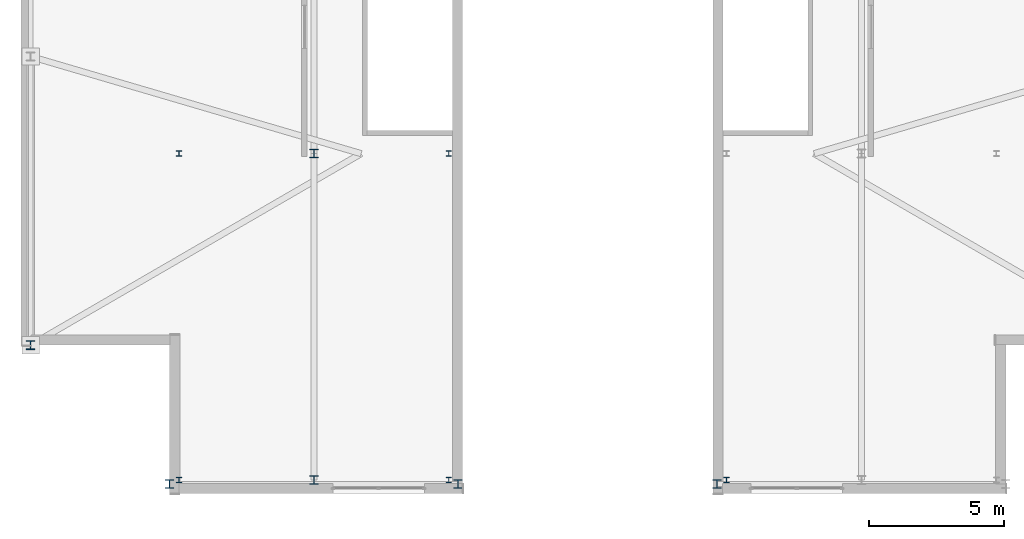
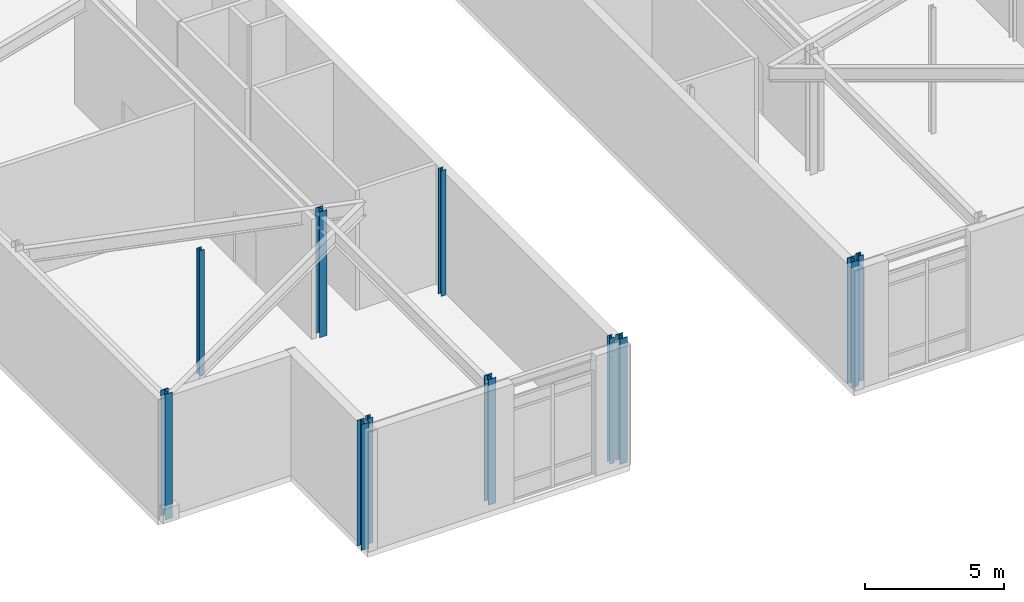
# One storey, part 1 of 14: 11 columns.
"""IFC4 building model written with IfcOpenShell, lengths in metres."""

import ifcopenshell
import ifcopenshell.guid

model = None  # the IFC model being written
_history = None  # IfcOwnerHistory: only IFC2X3 demands one
_inside = {}  # id of a spatial element -> (the spatial element, [elements in it])
_under = {}  # id of a project, library or spatial element -> (it, [spatial elements below it])
_declared = {}  # id of a project -> (the project, [libraries it declares])
_typed = {}  # id of a type object -> (the type object, [elements of that type])
_made_of = {}  # id of a material, layer set ... -> (it, [elements and type objects made of it])


def new_model(schema):
    """Start an empty IFC model of exactly this schema.

    Asked for "IFC4X3", IfcOpenShell would pick the latest addendum, in which some entities
    have other attributes; the version numbers below select the first issue.
    IFC2X3 requires an IfcOwnerHistory on every rooted entity: one is made here for all.
    """
    global model, _history
    if schema == "IFC4X3":
        model = ifcopenshell.file(schema_version=(4, 3, 0, 0))
    else:
        model = ifcopenshell.file(schema=schema)
    _inside.clear()
    _under.clear()
    _declared.clear()
    _typed.clear()
    _made_of.clear()
    _history = None
    if model.schema == "IFC2X3":
        org = make("IfcOrganization", Name="unknown")
        user = make(
            "IfcPersonAndOrganization",
            ThePerson=make("IfcPerson", FamilyName="unknown"),
            TheOrganization=org,
        )
        app = make(
            "IfcApplication",
            ApplicationDeveloper=org,
            Version="unknown",
            ApplicationFullName="unknown",
            ApplicationIdentifier="unknown",
        )
        _history = make(
            "IfcOwnerHistory",
            OwningUser=user,
            OwningApplication=app,
            ChangeAction="ADDED",
            CreationDate=0,
        )
    return model


def make(cls, **values):
    """One entity of the class cls with the attributes given. An attribute that is None is left unset."""
    return model.create_entity(
        cls, **{name: value for name, value in values.items() if value is not None}
    )


def rooted(cls, **values):
    """An entity with a GlobalId (a new one), such as an element, a storey or a relation."""
    return make(cls, GlobalId=ifcopenshell.guid.new(), OwnerHistory=_history, **values)


def si_unit(unit_type, name, prefix=None):
    """IfcSIUnit, for example si_unit("LENGTHUNIT", "METRE", prefix="MILLI")."""
    return make("IfcSIUnit", UnitType=unit_type, Prefix=prefix, Name=name)


def assignment(units):
    """IfcUnitAssignment: the units of a project."""
    return None if units is None else make("IfcUnitAssignment", Units=units)


def point(xyz):
    """IfcCartesianPoint."""
    return None if xyz is None else make("IfcCartesianPoint", Coordinates=xyz)


def direction(xyz):
    """IfcDirection."""
    return None if xyz is None else make("IfcDirection", DirectionRatios=xyz)


def frame(location, z_axis=None, x_axis=None):
    """IfcAxis2Placement3D, a coordinate frame: its origin and axes. An axis left out is left unset."""
    return make(
        "IfcAxis2Placement3D",
        Location=point(location),
        Axis=direction(z_axis),
        RefDirection=direction(x_axis),
    )


def frame_2d(location, x_axis=None):
    """IfcAxis2Placement2D, a coordinate frame in the plane: its origin and x axis."""
    return make(
        "IfcAxis2Placement2D", Location=point(location), RefDirection=direction(x_axis)
    )


def origin():
    """The frame at (0, 0, 0) with its axes left unset."""
    return frame((0.0, 0.0, 0.0))


def origin_2d():
    """The frame at (0, 0) in the plane with its x axis left unset."""
    return frame_2d((0.0, 0.0))


def place(relative_to, where):
    """IfcLocalPlacement: puts the frame where relative to a parent placement (None: the world)."""
    return make(
        "IfcLocalPlacement", PlacementRelTo=relative_to, RelativePlacement=where
    )


def context(
    kind, dimensions, precision=None, world=None, true_north=None, identifier=None
):
    """IfcGeometricRepresentationContext, for example the 3D "Model" context."""
    return make(
        "IfcGeometricRepresentationContext",
        ContextIdentifier=identifier,
        ContextType=kind,
        CoordinateSpaceDimension=dimensions,
        Precision=precision,
        WorldCoordinateSystem=world,
        TrueNorth=true_north,
    )


def subcontext(parent, identifier, kind, view, scale=None):
    """IfcGeometricRepresentationSubContext, for example "Body" below "Model"."""
    return make(
        "IfcGeometricRepresentationSubContext",
        ContextIdentifier=identifier,
        ContextType=kind,
        ParentContext=parent,
        TargetScale=scale,
        TargetView=view,
    )


def project(units=None, contexts=None):
    """IfcProject with its units and contexts."""
    return rooted(
        "IfcProject",
        Name="project",
        RepresentationContexts=contexts,
        UnitsInContext=assignment(units),
    )


def spatial(cls, under=None, at=None, **own):
    """A site, building, storey or space (cls), placed at a placement, below another one or the project."""
    s = rooted(cls, ObjectPlacement=at, **own)
    if under is not None:
        _under.setdefault(under.id(), (under, []))[1].append(s)
    return s


def profile(cls, at=None, kind="AREA", **sizes):
    """A parametric profile (cls). Its sizes go by their IFC names, for example OverallWidth=200.0."""
    return make(cls, ProfileType=kind, Position=at, **sizes)


def i_section(**sizes):
    """IfcIShapeProfileDef."""
    return profile("IfcIShapeProfileDef", **sizes)


def extrude(swept, where, along, depth):
    """IfcExtrudedAreaSolid: the profile swept, set in the frame where, extruded along a direction by depth."""
    return make(
        "IfcExtrudedAreaSolid",
        SweptArea=swept,
        Position=where,
        ExtrudedDirection=direction(along),
        Depth=depth,
    )


def shape(context_of_items, identifier, shape_type, items):
    """IfcShapeRepresentation: the items that make up one representation, for example the "Body"."""
    return make(
        "IfcShapeRepresentation",
        ContextOfItems=context_of_items,
        RepresentationIdentifier=identifier,
        RepresentationType=shape_type,
        Items=items,
    )


def material(Name=None, Category=None):
    """IfcMaterial."""
    return make("IfcMaterial", Name=Name, Category=Category)


def material_profile(
    of_material, cross_section, Name=None, Category=None, Priority=None
):
    """IfcMaterialProfile: a cross section and its material."""
    return make(
        "IfcMaterialProfile",
        Name=Name,
        Material=of_material,
        Profile=cross_section,
        Priority=Priority,
        Category=Category,
    )


def profile_set(profiles, Name=None, composite=None):
    """IfcMaterialProfileSet."""
    return make(
        "IfcMaterialProfileSet",
        Name=Name,
        MaterialProfiles=profiles,
        CompositeProfile=composite,
    )


def made_of(thing, what):
    """Note that an element or type object is made of a material, layer set ...; save() writes the relation."""
    if what is not None:
        _made_of.setdefault(what.id(), (what, []))[1].append(thing)
    return thing


def type_object(cls, material=None, **own):
    """A type object (cls), such as IfcWallType, which elements share."""
    return made_of(rooted(cls, **own), material)


def element(
    cls,
    number,
    at=None,
    inside=None,
    cuts=None,
    type_object=None,
    material=None,
    context=None,
    identifier="Body",
    shape_type=None,
    held_by="IfcProductDefinitionShape",
    body=None,
    shapes=None,
    **own,
):
    """One element of the class cls, such as IfcWall. Its Tag is "e" and its number.

    at: its placement. inside: the storey or other place that contains it. cuts: it is an
    opening in that element (IfcRelVoidsElement). A single representation is given by context,
    identifier, shape_type and body (its items); several are given by shapes. held_by: the class
    of the entity that holds the representations. save() writes the other relations.
    """
    e = rooted(cls, Tag="e%d" % number, ObjectPlacement=at, **own)
    if body is not None:
        shapes = [shape(context, identifier, shape_type, body)]
    if shapes is not None:
        e.Representation = make(held_by, Representations=shapes)
    if inside is not None:
        _inside.setdefault(inside.id(), (inside, []))[1].append(e)
    if cuts is not None:
        rooted(
            "IfcRelVoidsElement", RelatingBuildingElement=cuts, RelatedOpeningElement=e
        )
    if type_object is not None:
        _typed.setdefault(type_object.id(), (type_object, []))[1].append(e)
    return made_of(e, material)


def aggregate(whole, parts):
    """IfcRelAggregates: a whole, such as a stair, and the parts it consists of."""
    return rooted("IfcRelAggregates", RelatingObject=whole, RelatedObjects=parts)


def save(model, path):
    """Write the relations noted so far, then the file.

    IfcRelAggregates (storeys below a building ...), IfcRelContainedInSpatialStructure (elements
    in a storey), IfcRelDefinesByType, IfcRelAssociatesMaterial and IfcRelDeclares: one each for
    every whole, place, type object, material and project.
    """
    for whole, parts in _under.values():
        aggregate(whole, parts)
    for where, things in _inside.values():
        rooted(
            "IfcRelContainedInSpatialStructure",
            RelatedElements=things,
            RelatingStructure=where,
        )
    for kind, things in _typed.values():
        rooted("IfcRelDefinesByType", RelatedObjects=things, RelatingType=kind)
    for what, things in _made_of.values():
        rooted("IfcRelAssociatesMaterial", RelatedObjects=things, RelatingMaterial=what)
    for by, libraries in _declared.values():
        rooted("IfcRelDeclares", RelatingContext=by, RelatedDefinitions=libraries)
    model.write(path)


model = new_model("IFC4")

# Units and contexts
model_context = context("Model", 3, precision=1e-05, world=origin(), true_north=direction((0.0, 1.0)))
body_context = subcontext(model_context, "Body", "Model", "MODEL_VIEW")
ifc_project = project(units=[si_unit("LENGTHUNIT", "METRE"), si_unit("AREAUNIT", "SQUARE_METRE"), si_unit("VOLUMEUNIT", "CUBIC_METRE"), si_unit("PLANEANGLEUNIT", "RADIAN"), si_unit("MASSUNIT", "GRAM", prefix="KILO")], contexts=[model_context])

# Site, building, storey
site_placement = place(None, origin())
site = spatial("IfcSite", under=ifc_project, at=site_placement, CompositionType="ELEMENT")
building_placement = place(site_placement, origin())
building = spatial("IfcBuilding", under=site, at=building_placement, Name="Cairnveth Concourse Tower", CompositionType="ELEMENT")
storey_placement = place(building_placement, frame((0.0, 0.0, 330.0)))
storey = spatial("IfcBuildingStorey", under=building, at=storey_placement, Name="L90", CompositionType="ELEMENT", Elevation=330.0)

# Columns
ifc_material = material(Name="Steel Grade 350", Category="steel")
ifc_material_profile_1 = material_profile(ifc_material, i_section(OverallWidth=0.202880859375, OverallDepth=0.202880859375, WebThickness=0.00927734375, FlangeThickness=0.01416015625, FilletRadius=0.010009765625, at=origin_2d()), Name="200UC59.5")
ifc_profile_set_1 = profile_set([ifc_material_profile_1], Name="Steel Grade 350")
column_type_1 = type_object("IfcColumnType", Name="PILASTER STEEL COLUMN 200UC59.5", PredefinedType="PILASTER", material=ifc_profile_set_1)
for number, where, z_axis, x_axis, name in (
    (1, (36.85009765625, 18.5, 0.0), (0.0, 0.0, 1.0), (1.0, 0.0, 0.0), "Column CRL-W1 L90"),
    (2, (46.85009765625, 18.5, 0.0), (0.0, 0.0, 1.0), (1.0, 0.0, 0.0), "Column CRR-W1 L90"),
    (3, (36.85009765625, 30.60009765625, 0.0), (0.0, 0.0, 1.0), (1.0, 0.0, 0.0), "Column CRL-W2 L90"),
    (4, (46.85009765625, 30.60009765625, 0.0), (0.0, 0.0, 1.0), (1.0, 0.0, 0.0), "Column CRR-W2 L90"),
    (5, (57.14990234375, 18.5, 0.0), (0.0, 0.0, 1.0), (1.0, 0.0, 0.0), "Column CRL-E1 L90"),
):
    element("IfcColumn", number, at=place(storey_placement, frame(where, z_axis=z_axis, x_axis=x_axis)), inside=storey, type_object=column_type_1, Name=name, PredefinedType="PILASTER", context=body_context, shape_type="SweptSolid", body=[
        extrude(i_section(OverallWidth=0.202880859375, OverallDepth=0.202880859375, WebThickness=0.00927734375, FlangeThickness=0.01416015625, FilletRadius=0.010009765625, at=origin_2d()), origin(), (0.0, 0.0, 1.0), 5.5),
    ])
ifc_material_profile_2 = material_profile(ifc_material, i_section(OverallWidth=0.306884765625, OverallDepth=0.31494140625, WebThickness=0.011962890625, FlangeThickness=0.018798828125, FilletRadius=0.01611328125, at=origin_2d()), Name="310UC118")
ifc_profile_set_2 = profile_set([ifc_material_profile_2], Name="Steel Grade 350")
column_type_2 = type_object("IfcColumnType", Name="UNIVERSAL STEEL COLUMN 310UC118", PredefinedType="COLUMN", material=ifc_profile_set_2)
for number, where, z_axis, x_axis, name in (
    (6, (41.85009765625, 18.5, 0.0), (0.0, 0.0, 1.0), (1.0, 0.0, 0.0), "Column CRM-W1 L90"),
    (7, (41.85009765625, 30.60009765625, 0.0), (0.0, 0.0, 1.0), (1.0, 0.0, 0.0), "Column CRM-W2 L90"),
):
    element("IfcColumn", number, at=place(storey_placement, frame(where, z_axis=z_axis, x_axis=x_axis)), inside=storey, type_object=column_type_2, Name=name, PredefinedType="COLUMN", context=body_context, shape_type="SweptSolid", body=[
        extrude(i_section(OverallWidth=0.306884765625, OverallDepth=0.31494140625, WebThickness=0.011962890625, FlangeThickness=0.018798828125, FilletRadius=0.01611328125, at=origin_2d()), origin(), (0.0, 0.0, 1.0), 5.5),
    ])
ifc_material_profile_3 = material_profile(ifc_material, i_section(OverallWidth=0.31103515625, OverallDepth=0.326904296875, WebThickness=0.015625, FlangeThickness=0.02490234375, FilletRadius=0.01611328125, at=origin_2d()), Name="310UC158")
ifc_profile_set_3 = profile_set([ifc_material_profile_3], Name="Steel Grade 350")
column_type_3 = type_object("IfcColumnType", Name="UNIVERSAL STEEL COLUMN 310UC158", PredefinedType="COLUMN", material=ifc_profile_set_3)
for number, where, z_axis, x_axis, name in (
    (8, (36.5, 18.35009765625, 0.0), (0.0, 0.0, 1.0), (1.0, 0.0, 0.0), "Column CR-S1 L90"),
    (9, (47.199951171875, 18.35009765625, 0.0), (0.0, 0.0, 1.0), (1.0, 0.0, 0.0), "Column CR-S2 L90"),
    (10, (56.800048828125, 18.35009765625, 0.0), (0.0, 0.0, 1.0), (1.0, 0.0, 0.0), "Column CR-S3 L90"),
    (11, (31.35009765625, 23.5, 0.0), (0.0, 0.0, 1.0), (1.0, 0.0, 0.0), "Column CR-W4 L90"),
):
    element("IfcColumn", number, at=place(storey_placement, frame(where, z_axis=z_axis, x_axis=x_axis)), inside=storey, type_object=column_type_3, Name=name, PredefinedType="COLUMN", context=body_context, shape_type="SweptSolid", body=[
        extrude(i_section(OverallWidth=0.31103515625, OverallDepth=0.326904296875, WebThickness=0.015625, FlangeThickness=0.02490234375, FilletRadius=0.01611328125, at=origin_2d()), origin(), (0.0, 0.0, 1.0), 5.5),
    ])

save(model, "model.ifc")
